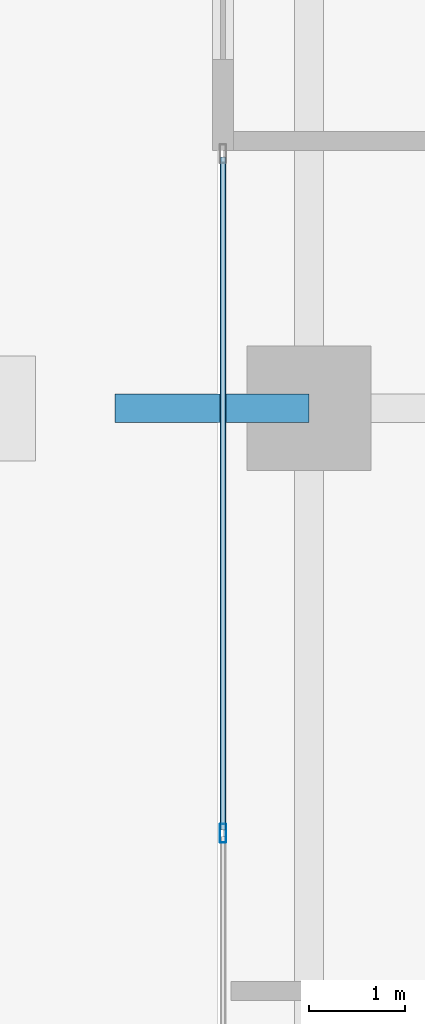
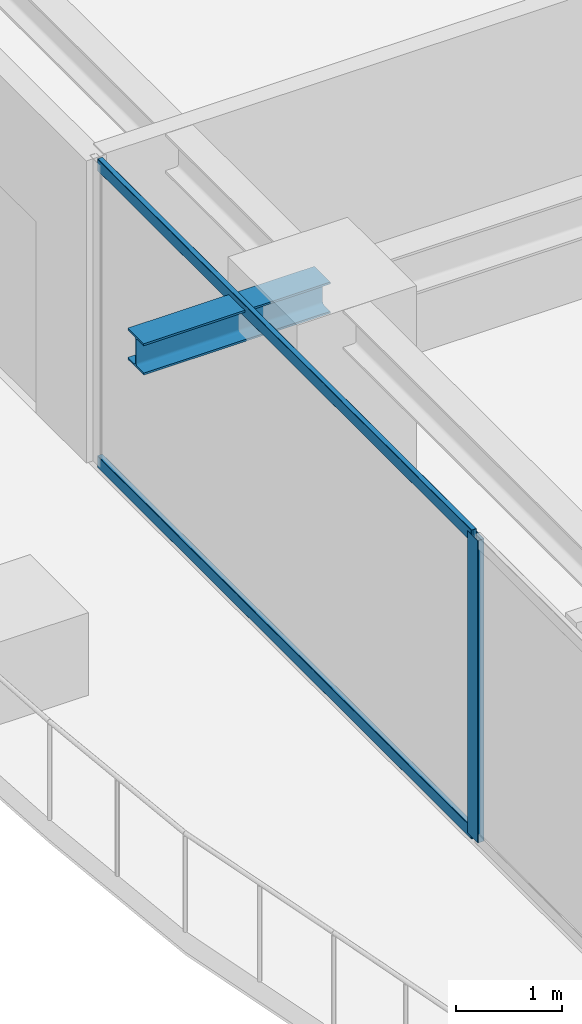
# One storey, part 7 of 35: 3 members, 1 beam, 1 element without a shape of its own.
"""IFC4 building model written with IfcOpenShell, lengths in metres."""

import ifcopenshell
import ifcopenshell.guid

model = None  # the IFC model being written
_history = None  # IfcOwnerHistory: only IFC2X3 demands one
_inside = {}  # id of a spatial element -> (the spatial element, [elements in it])
_under = {}  # id of a project, library or spatial element -> (it, [spatial elements below it])
_declared = {}  # id of a project -> (the project, [libraries it declares])
_typed = {}  # id of a type object -> (the type object, [elements of that type])
_made_of = {}  # id of a material, layer set ... -> (it, [elements and type objects made of it])


def new_model(schema):
    """Start an empty IFC model of exactly this schema.

    Asked for "IFC4X3", IfcOpenShell would pick the latest addendum, in which some entities
    have other attributes; the version numbers below select the first issue.
    IFC2X3 requires an IfcOwnerHistory on every rooted entity: one is made here for all.
    """
    global model, _history
    if schema == "IFC4X3":
        model = ifcopenshell.file(schema_version=(4, 3, 0, 0))
    else:
        model = ifcopenshell.file(schema=schema)
    _inside.clear()
    _under.clear()
    _declared.clear()
    _typed.clear()
    _made_of.clear()
    _history = None
    if model.schema == "IFC2X3":
        org = make("IfcOrganization", Name="unknown")
        user = make(
            "IfcPersonAndOrganization",
            ThePerson=make("IfcPerson", FamilyName="unknown"),
            TheOrganization=org,
        )
        app = make(
            "IfcApplication",
            ApplicationDeveloper=org,
            Version="unknown",
            ApplicationFullName="unknown",
            ApplicationIdentifier="unknown",
        )
        _history = make(
            "IfcOwnerHistory",
            OwningUser=user,
            OwningApplication=app,
            ChangeAction="ADDED",
            CreationDate=0,
        )
    return model


def make(cls, **values):
    """One entity of the class cls with the attributes given. An attribute that is None is left unset."""
    return model.create_entity(
        cls, **{name: value for name, value in values.items() if value is not None}
    )


def rooted(cls, **values):
    """An entity with a GlobalId (a new one), such as an element, a storey or a relation."""
    return make(cls, GlobalId=ifcopenshell.guid.new(), OwnerHistory=_history, **values)


def si_unit(unit_type, name, prefix=None):
    """IfcSIUnit, for example si_unit("LENGTHUNIT", "METRE", prefix="MILLI")."""
    return make("IfcSIUnit", UnitType=unit_type, Prefix=prefix, Name=name)


def assignment(units):
    """IfcUnitAssignment: the units of a project."""
    return None if units is None else make("IfcUnitAssignment", Units=units)


def point(xyz):
    """IfcCartesianPoint."""
    return None if xyz is None else make("IfcCartesianPoint", Coordinates=xyz)


def direction(xyz):
    """IfcDirection."""
    return None if xyz is None else make("IfcDirection", DirectionRatios=xyz)


def frame(location, z_axis=None, x_axis=None):
    """IfcAxis2Placement3D, a coordinate frame: its origin and axes. An axis left out is left unset."""
    return make(
        "IfcAxis2Placement3D",
        Location=point(location),
        Axis=direction(z_axis),
        RefDirection=direction(x_axis),
    )


def frame_2d(location, x_axis=None):
    """IfcAxis2Placement2D, a coordinate frame in the plane: its origin and x axis."""
    return make(
        "IfcAxis2Placement2D", Location=point(location), RefDirection=direction(x_axis)
    )


def origin():
    """The frame at (0, 0, 0) with its axes left unset."""
    return frame((0.0, 0.0, 0.0))


def origin_2d():
    """The frame at (0, 0) in the plane with its x axis left unset."""
    return frame_2d((0.0, 0.0))


def place(relative_to, where):
    """IfcLocalPlacement: puts the frame where relative to a parent placement (None: the world)."""
    return make(
        "IfcLocalPlacement", PlacementRelTo=relative_to, RelativePlacement=where
    )


def context(
    kind, dimensions, precision=None, world=None, true_north=None, identifier=None
):
    """IfcGeometricRepresentationContext, for example the 3D "Model" context."""
    return make(
        "IfcGeometricRepresentationContext",
        ContextIdentifier=identifier,
        ContextType=kind,
        CoordinateSpaceDimension=dimensions,
        Precision=precision,
        WorldCoordinateSystem=world,
        TrueNorth=true_north,
    )


def subcontext(parent, identifier, kind, view, scale=None):
    """IfcGeometricRepresentationSubContext, for example "Body" below "Model"."""
    return make(
        "IfcGeometricRepresentationSubContext",
        ContextIdentifier=identifier,
        ContextType=kind,
        ParentContext=parent,
        TargetScale=scale,
        TargetView=view,
    )


def project(units=None, contexts=None):
    """IfcProject with its units and contexts."""
    return rooted(
        "IfcProject",
        Name="project",
        RepresentationContexts=contexts,
        UnitsInContext=assignment(units),
    )


def spatial(cls, under=None, at=None, **own):
    """A site, building, storey or space (cls), placed at a placement, below another one or the project."""
    s = rooted(cls, ObjectPlacement=at, **own)
    if under is not None:
        _under.setdefault(under.id(), (under, []))[1].append(s)
    return s


def profile(cls, at=None, kind="AREA", **sizes):
    """A parametric profile (cls). Its sizes go by their IFC names, for example OverallWidth=200.0."""
    return make(cls, ProfileType=kind, Position=at, **sizes)


def hollow_rectangle(**sizes):
    """IfcRectangleHollowProfileDef."""
    return profile("IfcRectangleHollowProfileDef", **sizes)


def i_section(**sizes):
    """IfcIShapeProfileDef."""
    return profile("IfcIShapeProfileDef", **sizes)


def extrude(swept, where, along, depth):
    """IfcExtrudedAreaSolid: the profile swept, set in the frame where, extruded along a direction by depth."""
    return make(
        "IfcExtrudedAreaSolid",
        SweptArea=swept,
        Position=where,
        ExtrudedDirection=direction(along),
        Depth=depth,
    )


def shape(context_of_items, identifier, shape_type, items):
    """IfcShapeRepresentation: the items that make up one representation, for example the "Body"."""
    return make(
        "IfcShapeRepresentation",
        ContextOfItems=context_of_items,
        RepresentationIdentifier=identifier,
        RepresentationType=shape_type,
        Items=items,
    )


def source(mapping_origin, context_of_items, identifier, shape_type, items):
    """IfcRepresentationMap: a shape defined once, which mapped items show again and again."""
    return make(
        "IfcRepresentationMap",
        MappingOrigin=mapping_origin,
        MappedRepresentation=shape(context_of_items, identifier, shape_type, items),
    )


def transform(
    local_origin,
    x_axis=None,
    y_axis=None,
    z_axis=None,
    scale=None,
    scale2=None,
    scale3=None,
    uniform=True,
):
    """IfcCartesianTransformationOperator3D, or its non-uniform kind. x_axis, y_axis, z_axis: its Axis1, 2, 3."""
    if uniform:
        return make(
            "IfcCartesianTransformationOperator3D",
            Axis1=direction(x_axis),
            Axis2=direction(y_axis),
            LocalOrigin=point(local_origin),
            Scale=scale,
            Axis3=direction(z_axis),
        )
    return make(
        "IfcCartesianTransformationOperator3DnonUniform",
        Axis1=direction(x_axis),
        Axis2=direction(y_axis),
        LocalOrigin=point(local_origin),
        Scale=scale,
        Axis3=direction(z_axis),
        Scale2=scale2,
        Scale3=scale3,
    )


def mapped(mapping_source, mapping_target):
    """IfcMappedItem: shows the shape of a source again, moved by a transform."""
    return make(
        "IfcMappedItem", MappingSource=mapping_source, MappingTarget=mapping_target
    )


def material(Name=None, Category=None):
    """IfcMaterial."""
    return make("IfcMaterial", Name=Name, Category=Category)


def layer(
    of_material, thickness, ventilated=None, Name=None, Category=None, Priority=None
):
    """IfcMaterialLayer: one layer of a wall or slab, of a material (None: an air gap)."""
    return make(
        "IfcMaterialLayer",
        Material=of_material,
        LayerThickness=thickness,
        IsVentilated=ventilated,
        Name=Name,
        Category=Category,
        Priority=Priority,
    )


def layer_set(layers, Name=None):
    """IfcMaterialLayerSet."""
    return make("IfcMaterialLayerSet", MaterialLayers=layers, LayerSetName=Name)


def material_profile(
    of_material, cross_section, Name=None, Category=None, Priority=None
):
    """IfcMaterialProfile: a cross section and its material."""
    return make(
        "IfcMaterialProfile",
        Name=Name,
        Material=of_material,
        Profile=cross_section,
        Priority=Priority,
        Category=Category,
    )


def profile_set(profiles, Name=None, composite=None):
    """IfcMaterialProfileSet."""
    return make(
        "IfcMaterialProfileSet",
        Name=Name,
        MaterialProfiles=profiles,
        CompositeProfile=composite,
    )


def made_of(thing, what):
    """Note that an element or type object is made of a material, layer set ...; save() writes the relation."""
    if what is not None:
        _made_of.setdefault(what.id(), (what, []))[1].append(thing)
    return thing


def type_object(cls, material=None, **own):
    """A type object (cls), such as IfcWallType, which elements share."""
    return made_of(rooted(cls, **own), material)


def element(
    cls,
    number,
    at=None,
    inside=None,
    cuts=None,
    type_object=None,
    material=None,
    context=None,
    identifier="Body",
    shape_type=None,
    held_by="IfcProductDefinitionShape",
    body=None,
    shapes=None,
    **own,
):
    """One element of the class cls, such as IfcWall. Its Tag is "e" and its number.

    at: its placement. inside: the storey or other place that contains it. cuts: it is an
    opening in that element (IfcRelVoidsElement). A single representation is given by context,
    identifier, shape_type and body (its items); several are given by shapes. held_by: the class
    of the entity that holds the representations. save() writes the other relations.
    """
    e = rooted(cls, Tag="e%d" % number, ObjectPlacement=at, **own)
    if body is not None:
        shapes = [shape(context, identifier, shape_type, body)]
    if shapes is not None:
        e.Representation = make(held_by, Representations=shapes)
    if inside is not None:
        _inside.setdefault(inside.id(), (inside, []))[1].append(e)
    if cuts is not None:
        rooted(
            "IfcRelVoidsElement", RelatingBuildingElement=cuts, RelatedOpeningElement=e
        )
    if type_object is not None:
        _typed.setdefault(type_object.id(), (type_object, []))[1].append(e)
    return made_of(e, material)


def aggregate(whole, parts):
    """IfcRelAggregates: a whole, such as a stair, and the parts it consists of."""
    return rooted("IfcRelAggregates", RelatingObject=whole, RelatedObjects=parts)


def save(model, path):
    """Write the relations noted so far, then the file.

    IfcRelAggregates (storeys below a building ...), IfcRelContainedInSpatialStructure (elements
    in a storey), IfcRelDefinesByType, IfcRelAssociatesMaterial and IfcRelDeclares: one each for
    every whole, place, type object, material and project.
    """
    for whole, parts in _under.values():
        aggregate(whole, parts)
    for where, things in _inside.values():
        rooted(
            "IfcRelContainedInSpatialStructure",
            RelatedElements=things,
            RelatingStructure=where,
        )
    for kind, things in _typed.values():
        rooted("IfcRelDefinesByType", RelatedObjects=things, RelatingType=kind)
    for what, things in _made_of.values():
        rooted("IfcRelAssociatesMaterial", RelatedObjects=things, RelatingMaterial=what)
    for by, libraries in _declared.values():
        rooted("IfcRelDeclares", RelatingContext=by, RelatedDefinitions=libraries)
    model.write(path)


model = new_model("IFC4")

# Units and contexts
model_context = context("Model", 3, precision=1e-05, world=origin(), true_north=direction((0.0, 1.0)))
body_context = subcontext(model_context, "Body", "Model", "MODEL_VIEW")
ifc_project = project(units=[si_unit("LENGTHUNIT", "METRE"), si_unit("AREAUNIT", "SQUARE_METRE"), si_unit("VOLUMEUNIT", "CUBIC_METRE"), si_unit("PLANEANGLEUNIT", "RADIAN"), si_unit("MASSUNIT", "GRAM", prefix="KILO")], contexts=[model_context])

# Site, building, storey
site_placement = place(None, origin())
site = spatial("IfcSite", under=ifc_project, at=site_placement, CompositionType="ELEMENT")
building_placement = place(site_placement, origin())
building = spatial("IfcBuilding", under=site, at=building_placement, Name="Serunith Strait Residences", CompositionType="ELEMENT")
storey_placement = place(building_placement, frame((0.0, 0.0, 172.64990234375)))
storey = spatial("IfcBuildingStorey", under=building, at=storey_placement, Name="L43", CompositionType="ELEMENT", Elevation=172.64990234375)

# Beam
ifc_material_1 = material(Name="Steel S355J2", Category="steel")
ifc_material_profile_1 = material_profile(ifc_material_1, i_section(OverallWidth=0.300048828125, OverallDepth=0.360107421875, WebThickness=0.012451171875, FlangeThickness=0.0224609375, FilletRadius=0.027099609375, at=origin_2d()), Name="HEB 360")
ifc_profile_set_1 = profile_set([ifc_material_profile_1], Name="Steel S355J2")
beam_type = type_object("IfcBeamType", Name="BM-HEB360", PredefinedType="BEAM", material=ifc_profile_set_1)
shared_shape_1 = source(origin(), body_context, "Body", "SweptSolid", [
    extrude(i_section(OverallWidth=0.300048828125, OverallDepth=0.360107421875, WebThickness=0.012451171875, FlangeThickness=0.0224609375, FilletRadius=0.027099609375, at=origin_2d()), origin(), (0.0, 0.0, 1.0), 2.030029296875),
])
beam_placement = place(storey_placement, frame((8.699951171875, 21.0, 3.277099609375), z_axis=(-1.0, 0.0, 0.0), x_axis=(0.0, -1.0, 0.0)))
element("IfcBeam", 1, at=beam_placement, inside=storey, type_object=beam_type, Name="L44 Cantilevered Balcony Rib TC-W2", PredefinedType="BEAM", context=body_context, shape_type="MappedRepresentation", body=[
    mapped(shared_shape_1, transform((0.0, 0.0, 0.0), scale=1.0)),
])

# Curtain wall, members
ifc_material_2 = material(Name="Pale-Champagne Anodised Aluminium", Category="aluminium")
ifc_layer = layer(ifc_material_2, 0.199951171875, Name="Pale-Champagne Anodised Aluminium")
ifc_layer_set = layer_set([ifc_layer], Name="Pale-Champagne Anodised Aluminium")
curtain_wall_type = type_object("IfcCurtainWallType", Name="CW-SYS2", PredefinedType="NOTDEFINED", material=ifc_layer_set)
curtain_wall_placement = place(storey_placement, origin())
curtain_wall = element("IfcCurtainWall", 2, at=curtain_wall_placement, inside=storey, type_object=curtain_wall_type, Name="L43 W Unitised Fritted Curtain Wall", PredefinedType="NOTDEFINED")
ifc_material_profile_2 = material_profile(ifc_material_2, hollow_rectangle(XDim=0.070068359375, YDim=0.199951171875, WallThickness=0.00390625, InnerFilletRadius=0.006103515625, OuterFilletRadius=0.010009765625, at=origin_2d()), Name="ALU 200x70x4")
ifc_profile_set_2 = profile_set([ifc_material_profile_2], Name="Pale-Champagne Anodised Aluminium")
member_type_1 = type_object("IfcMemberType", Name="CW-SYS2-MULL", PredefinedType="MULLION", material=ifc_profile_set_2)
shared_shape_2 = source(origin(), body_context, "Body", "SweptSolid", [
    extrude(hollow_rectangle(XDim=0.070068359375, YDim=0.199951171875, WallThickness=0.00390625, InnerFilletRadius=0.006103515625, OuterFilletRadius=0.010009765625, at=origin_2d()), origin(), (0.0, 0.0, 1.0), 3.47509765625),
])
member_1_placement = place(storey_placement, frame((7.800048828125, 16.550048828125, 0.0), z_axis=(0.0, 0.0, 1.0), x_axis=(1.0, 0.0, 0.0)))
member_1 = element("IfcMember", 3, at=member_1_placement, type_object=member_type_1, Name="CW-2 mullion 2", PredefinedType="MULLION", context=body_context, shape_type="MappedRepresentation", body=[
    mapped(shared_shape_2, transform((0.0, 0.0, 0.0), scale=1.0)),
])
ifc_material_profile_3 = material_profile(ifc_material_2, hollow_rectangle(XDim=0.06005859375, YDim=0.139892578125, WallThickness=0.00341796875, InnerFilletRadius=0.00537109375, OuterFilletRadius=0.0087890625, at=origin_2d()), Name="ALU 140x60x3.5")
ifc_profile_set_3 = profile_set([ifc_material_profile_3], Name="Pale-Champagne Anodised Aluminium")
member_type_2 = type_object("IfcMemberType", Name="CW-SYS2-TRAN", PredefinedType="USERDEFINED", material=ifc_profile_set_3)
shared_shape_3 = source(origin(), body_context, "Body", "SweptSolid", [
    extrude(hollow_rectangle(XDim=0.06005859375, YDim=0.139892578125, WallThickness=0.00341796875, InnerFilletRadius=0.00537109375, OuterFilletRadius=0.0087890625, at=origin_2d()), origin(), (0.0, 0.0, 1.0), 7.044921875),
])
member_2_placement = place(storey_placement, frame((7.800048828125, 23.6298828125, 0.030029296875), z_axis=(0.0, -1.0, 0.0), x_axis=(1.0, 0.0, 0.0)))
member_2 = element("IfcMember", 4, at=member_2_placement, type_object=member_type_2, Name="CW-2 transom 1.1", ObjectType="TRANSOM", PredefinedType="USERDEFINED", context=body_context, shape_type="MappedRepresentation", body=[
    mapped(shared_shape_3, transform((0.0, 0.0, 0.0), scale=1.0)),
])
member_3_placement = place(storey_placement, frame((7.800048828125, 23.6298828125, 3.445068359375), z_axis=(0.0, -1.0, 0.0), x_axis=(1.0, 0.0, 0.0)))
member_3 = element("IfcMember", 5, at=member_3_placement, type_object=member_type_2, Name="CW-2 transom 1.2", ObjectType="TRANSOM", PredefinedType="USERDEFINED", context=body_context, shape_type="MappedRepresentation", body=[
    mapped(shared_shape_3, transform((0.0, 0.0, 0.0), scale=1.0)),
])
aggregate(curtain_wall, [member_1, member_2, member_3])

save(model, "model.ifc")
